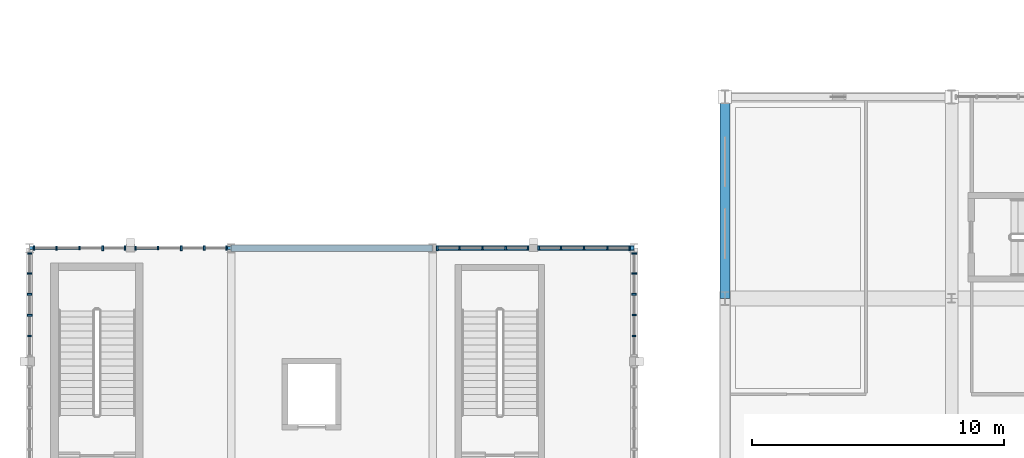
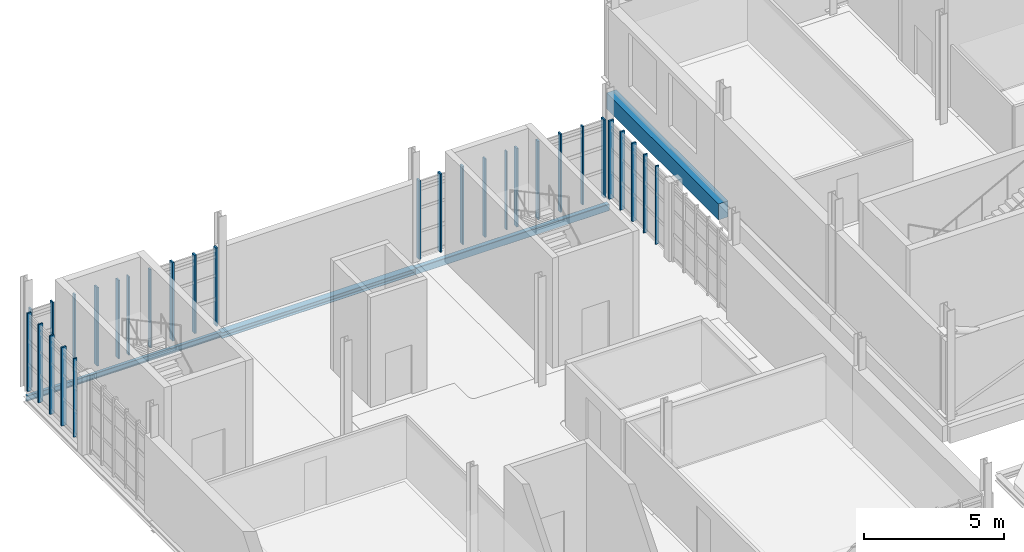
# One storey, part 19 of 128: 30 members, 4 beams, 6 elements without a shape of their own.
"""IFC4 building model written with IfcOpenShell, lengths in metres."""

from ifc_helpers import new_model, si_unit, direction, frame, origin, origin_2d, place, context, subcontext, project, spatial, rectangle, hollow_rectangle, i_section, extrude, material, material_profile, profile_set, type_object, element, aggregate, save


model = new_model("IFC4")

# Units and contexts
model_context = context("Model", 3, precision=1e-05, world=origin(), true_north=direction((0.0, 1.0)))
body_context = subcontext(model_context, "Body", "Model", "MODEL_VIEW")
ifc_project = project(units=[si_unit("LENGTHUNIT", "METRE"), si_unit("AREAUNIT", "SQUARE_METRE"), si_unit("VOLUMEUNIT", "CUBIC_METRE"), si_unit("PLANEANGLEUNIT", "RADIAN"), si_unit("MASSUNIT", "GRAM", prefix="KILO")], contexts=[model_context])

# Site, building, storey
site_placement = place(None, origin())
site = spatial("IfcSite", under=ifc_project, at=site_placement, CompositionType="ELEMENT")
building_placement = place(site_placement, origin())
building = spatial("IfcBuilding", under=site, at=building_placement, Name="Serraforn Aerial Cableway Station", CompositionType="ELEMENT")
storey_placement = place(building_placement, frame((0.0, 0.0, 9.0)))
storey = spatial("IfcBuildingStorey", under=building, at=storey_placement, Name="L02", CompositionType="ELEMENT", Elevation=9.0)

# Beams
ifc_material_1 = material(Name="Concrete C35/45", Category="concrete")
ifc_material_profile_1 = material_profile(ifc_material_1, rectangle(XDim=0.39990234375, YDim=0.699951171875, at=origin_2d()), Name="RC 400x700")
ifc_profile_set_1 = profile_set([ifc_material_profile_1], Name="Concrete C35/45")
beam_type_1 = type_object("IfcBeamType", Name="BM-RC-400x700E", PredefinedType="SPANDREL", material=ifc_profile_set_1)
beam_1_placement = place(storey_placement, frame((27.60009765625, 34.0, -0.7099609375), z_axis=(0.0, 1.0, 0.0), x_axis=(-1.0, 0.0, 0.0)))
element("IfcBeam", 1, at=beam_1_placement, inside=storey, type_object=beam_type_1, Name="Grid Girder Y CV L02 X1-3", PredefinedType="SPANDREL", context=body_context, shape_type="SweptSolid", body=[
    extrude(rectangle(XDim=0.39990234375, YDim=0.699951171875, at=origin_2d()), origin(), (0.0, 0.0, 1.0), 8.0),
])
ifc_material_2 = material(Name="Steel S355J2", Category="steel")
ifc_material_profile_2 = material_profile(ifc_material_2, i_section(OverallWidth=0.260009765625, OverallDepth=0.260009765625, WebThickness=0.010009765625, FlangeThickness=0.017578125, FilletRadius=0.02392578125, at=origin_2d()), Name="HEB 260")
ifc_profile_set_2 = profile_set([ifc_material_profile_2], Name="Steel S355J2")
beam_type_2 = type_object("IfcBeamType", Name="BM-ST-HEB260", PredefinedType="BEAM", material=ifc_profile_set_2)
beam_2_placement = place(storey_placement, frame((8.0, 36.0, -0.449951171875), z_axis=(1.0, 0.0, 0.0), x_axis=(0.0, 1.0, 0.0)))
element("IfcBeam", 2, at=beam_2_placement, inside=storey, type_object=beam_type_2, Name="Grid Girder X W L02 Y5-2", PredefinedType="BEAM", context=body_context, shape_type="SweptSolid", body=[
    extrude(i_section(OverallWidth=0.260009765625, OverallDepth=0.260009765625, WebThickness=0.010009765625, FlangeThickness=0.017578125, FilletRadius=0.02392578125, at=origin_2d()), origin(), (0.0, 0.0, 1.0), 8.0),
])
ifc_material_3 = material(Name="Steel S355JR", Category="steel")
ifc_material_profile_3 = material_profile(ifc_material_3, i_section(OverallWidth=0.1201171875, OverallDepth=0.239990234375, WebThickness=0.006103515625, FlangeThickness=0.009765625, FilletRadius=0.014892578125, at=origin_2d()), Name="IPE 240")
ifc_profile_set_3 = profile_set([ifc_material_profile_3], Name="Steel S355JR")
beam_type_3 = type_object("IfcBeamType", Name="BM-ST-IPE240", PredefinedType="SPANDREL", material=ifc_profile_set_3)
beam_3_placement = place(storey_placement, frame((0.0, 36.0, -0.43994140625), z_axis=(1.0, 0.0, 0.0), x_axis=(0.0, 1.0, 0.0)))
element("IfcBeam", 3, at=beam_3_placement, inside=storey, type_object=beam_type_3, Name="Grid Girder X W L02 Y5-1", PredefinedType="SPANDREL", context=body_context, shape_type="SweptSolid", body=[
    extrude(i_section(OverallWidth=0.1201171875, OverallDepth=0.239990234375, WebThickness=0.006103515625, FlangeThickness=0.009765625, FilletRadius=0.014892578125, at=origin_2d()), origin(), (0.0, 0.0, 1.0), 8.0),
])
ifc_material_profile_4 = material_profile(ifc_material_2, hollow_rectangle(XDim=0.199951171875, YDim=0.300048828125, WallThickness=0.012451171875, InnerFilletRadius=0.012451171875, OuterFilletRadius=0.02490234375, at=origin_2d()), Name="RHS 300x200x12.5")
ifc_profile_set_4 = profile_set([ifc_material_profile_4], Name="Steel S355J2")
beam_type_4 = type_object("IfcBeamType", Name="BM-ST-RHS300", PredefinedType="SPANDREL", material=ifc_profile_set_4)
beam_4_placement = place(storey_placement, frame((16.0, 36.0, -0.469970703125), z_axis=(1.0, 0.0, 0.0), x_axis=(0.0, 1.0, 0.0)))
element("IfcBeam", 4, at=beam_4_placement, inside=storey, type_object=beam_type_4, Name="Grid Girder X W L02 Y5-3", PredefinedType="SPANDREL", context=body_context, shape_type="SweptSolid", body=[
    extrude(hollow_rectangle(XDim=0.199951171875, YDim=0.300048828125, WallThickness=0.012451171875, InnerFilletRadius=0.012451171875, OuterFilletRadius=0.02490234375, at=origin_2d()), origin(), (0.0, 0.0, 1.0), 8.0),
])

# Curtain wall, member
ifc_material_4 = material(Name="Anodised bronze unitised curtain wall")
curtain_wall_type_1 = type_object("IfcCurtainWallType", Name="CW-SYS-27", PredefinedType="USERDEFINED", material=ifc_material_4)
curtain_wall_1_placement = place(storey_placement, origin())
curtain_wall_1 = element("IfcCurtainWall", 5, at=curtain_wall_1_placement, inside=storey, type_object=curtain_wall_type_1, Name="Unitised Curtain Wall CW-W-L02-N1A", ObjectType="UNITISED CURTAIN WALL", PredefinedType="USERDEFINED")
ifc_material_5 = material(Name="Anodised bronze extruded aluminium", Category="aluminium")
ifc_material_profile_5 = material_profile(ifc_material_5, rectangle(XDim=0.054931640625, YDim=0.139892578125, at=origin_2d()), Name="CW MULLION 55x140")
ifc_profile_set_5 = profile_set([ifc_material_profile_5], Name="Anodised bronze extruded aluminium")
member_type_1 = type_object("IfcMemberType", Name="CW-MUL-1", PredefinedType="MULLION", material=ifc_profile_set_5)
member_1_placement = place(storey_placement, frame((5.097900390625, 36.0, 0.0), z_axis=(0.0, 0.0, 1.0), x_axis=(-1.0, 0.0, 0.0)))
member_1 = element("IfcMember", 6, at=member_1_placement, type_object=member_type_1, Name="Curtain Wall Mullion CW-W-L02-N1A-M4", PredefinedType="MULLION", context=body_context, shape_type="SweptSolid", body=[
    extrude(rectangle(XDim=0.054931640625, YDim=0.139892578125, at=origin_2d()), origin(), (0.0, 0.0, 1.0), 3.419921875),
])

curtain_wall_type_2 = type_object("IfcCurtainWallType", Name="CW-SYS-28", PredefinedType="USERDEFINED", material=ifc_material_4)
curtain_wall_2_placement = place(storey_placement, origin())
curtain_wall_2 = element("IfcCurtainWall", 7, at=curtain_wall_2_placement, inside=storey, type_object=curtain_wall_type_2, Name="Unitised Curtain Wall CW-W-L02-N1B", ObjectType="UNITISED CURTAIN WALL", PredefinedType="USERDEFINED")
member_2_placement = place(storey_placement, frame((1.98388671875, 36.0, 0.0), z_axis=(0.0, 0.0, 1.0), x_axis=(-1.0, 0.0, 0.0)))
member_2 = element("IfcMember", 8, at=member_2_placement, type_object=member_type_1, Name="Curtain Wall Mullion CW-W-L02-N1B-M3", PredefinedType="MULLION", context=body_context, shape_type="SweptSolid", body=[
    extrude(rectangle(XDim=0.054931640625, YDim=0.139892578125, at=origin_2d()), origin(), (0.0, 0.0, 1.0), 3.419921875),
])

curtain_wall_type_3 = type_object("IfcCurtainWallType", Name="CW-SYS-1", PredefinedType="USERDEFINED", material=ifc_material_4)
curtain_wall_3_placement = place(storey_placement, origin())
curtain_wall_3 = element("IfcCurtainWall", 9, at=curtain_wall_3_placement, inside=storey, type_object=curtain_wall_type_3, Name="Unitised Curtain Wall CW-W-L02-N3A", ObjectType="UNITISED CURTAIN WALL", PredefinedType="USERDEFINED")
member_3_placement = place(storey_placement, frame((22.93408203125, 36.0, 0.0), z_axis=(0.0, 0.0, 1.0), x_axis=(-1.0, 0.0, 0.0)))
member_3 = element("IfcMember", 10, at=member_3_placement, type_object=member_type_1, Name="Curtain Wall Mullion CW-W-L02-N3A-M2", PredefinedType="MULLION", context=body_context, shape_type="SweptSolid", body=[
    extrude(rectangle(XDim=0.054931640625, YDim=0.139892578125, at=origin_2d()), origin(), (0.0, 0.0, 1.0), 3.419921875),
])

curtain_wall_type_4 = type_object("IfcCurtainWallType", Name="CW-SYS-2", PredefinedType="USERDEFINED", material=ifc_material_4)
curtain_wall_4_placement = place(storey_placement, origin())
curtain_wall_4 = element("IfcCurtainWall", 11, at=curtain_wall_4_placement, inside=storey, type_object=curtain_wall_type_4, Name="Unitised Curtain Wall CW-W-L02-N3B", ObjectType="UNITISED CURTAIN WALL", PredefinedType="USERDEFINED")
member_4_placement = place(storey_placement, frame((19.79248046875, 36.0, 0.0), z_axis=(0.0, 0.0, 1.0), x_axis=(-1.0, 0.0, 0.0)))
member_4 = element("IfcMember", 12, at=member_4_placement, type_object=member_type_1, Name="Curtain Wall Mullion CW-W-L02-N3B-M1", PredefinedType="MULLION", context=body_context, shape_type="SweptSolid", body=[
    extrude(rectangle(XDim=0.054931640625, YDim=0.139892578125, at=origin_2d()), origin(), (0.0, 0.0, 1.0), 3.419921875),
])

curtain_wall_type_5 = type_object("IfcCurtainWallType", Name="CW-SYS-3", PredefinedType="USERDEFINED", material=ifc_material_4)
curtain_wall_5_placement = place(storey_placement, origin())
curtain_wall_5 = element("IfcCurtainWall", 13, at=curtain_wall_5_placement, inside=storey, type_object=curtain_wall_type_5, Name="Unitised Curtain Wall CW-W-L02-W3A", ObjectType="UNITISED CURTAIN WALL", PredefinedType="USERDEFINED")
member_5_placement = place(storey_placement, frame((0.0, 32.50830078125, 0.0), z_axis=(0.0, 0.0, 1.0), x_axis=(0.0, -1.0, 0.0)))
member_5 = element("IfcMember", 14, at=member_5_placement, type_object=member_type_1, Name="Curtain Wall Mullion CW-W-L02-W3A-M5", PredefinedType="MULLION", context=body_context, shape_type="SweptSolid", body=[
    extrude(rectangle(XDim=0.054931640625, YDim=0.139892578125, at=origin_2d()), origin(), (0.0, 0.0, 1.0), 3.419921875),
])

curtain_wall_type_6 = type_object("IfcCurtainWallType", Name="CW-SYS-6", PredefinedType="USERDEFINED", material=ifc_material_4)
curtain_wall_6_placement = place(storey_placement, origin())
curtain_wall_6 = element("IfcCurtainWall", 15, at=curtain_wall_6_placement, inside=storey, type_object=curtain_wall_type_6, Name="Unitised Curtain Wall CW-W-L02-E3B", ObjectType="UNITISED CURTAIN WALL", PredefinedType="USERDEFINED")
member_6_placement = place(storey_placement, frame((24.0, 32.50830078125, 0.0), z_axis=(0.0, 0.0, 1.0), x_axis=(0.0, 1.0, 0.0)))
member_6 = element("IfcMember", 16, at=member_6_placement, type_object=member_type_1, Name="Curtain Wall Mullion CW-W-L02-E3B-M2", PredefinedType="MULLION", context=body_context, shape_type="SweptSolid", body=[
    extrude(rectangle(XDim=0.054931640625, YDim=0.139892578125, at=origin_2d()), origin(), (0.0, 0.0, 1.0), 3.419921875),
])

# Member
ifc_material_profile_6 = material_profile(ifc_material_5, rectangle(XDim=0.06005859375, YDim=0.159912109375, at=origin_2d()), Name="CW MULLION 60x160")
ifc_profile_set_6 = profile_set([ifc_material_profile_6], Name="Anodised bronze extruded aluminium")
member_type_2 = type_object("IfcMemberType", Name="CW-MUL-2", PredefinedType="MULLION", material=ifc_profile_set_6)
member_7_placement = place(storey_placement, frame((4.2099609375, 36.0, 0.0), z_axis=(0.0, 0.0, 1.0), x_axis=(-1.0, 0.0, 0.0)))
member_7 = element("IfcMember", 17, at=member_7_placement, type_object=member_type_2, Name="Curtain Wall Mullion CW-W-L02-N1A-M5", PredefinedType="MULLION", context=body_context, shape_type="SweptSolid", body=[
    extrude(rectangle(XDim=0.06005859375, YDim=0.159912109375, at=origin_2d()), origin(), (0.0, 0.0, 1.0), 3.419921875),
])

member_8_placement = place(storey_placement, frame((1.06591796875, 36.0, 0.0), z_axis=(0.0, 0.0, 1.0), x_axis=(-1.0, 0.0, 0.0)))
member_8 = element("IfcMember", 18, at=member_8_placement, type_object=member_type_2, Name="Curtain Wall Mullion CW-W-L02-N1B-M4", PredefinedType="MULLION", context=body_context, shape_type="SweptSolid", body=[
    extrude(rectangle(XDim=0.06005859375, YDim=0.159912109375, at=origin_2d()), origin(), (0.0, 0.0, 1.0), 3.419921875),
])

member_9_placement = place(storey_placement, frame((22.01611328125, 36.0, 0.0), z_axis=(0.0, 0.0, 1.0), x_axis=(-1.0, 0.0, 0.0)))
member_9 = element("IfcMember", 19, at=member_9_placement, type_object=member_type_2, Name="Curtain Wall Mullion CW-W-L02-N3A-M3", PredefinedType="MULLION", context=body_context, shape_type="SweptSolid", body=[
    extrude(rectangle(XDim=0.06005859375, YDim=0.159912109375, at=origin_2d()), origin(), (0.0, 0.0, 1.0), 3.419921875),
])

member_10_placement = place(storey_placement, frame((18.902099609375, 36.0, 0.0), z_axis=(0.0, 0.0, 1.0), x_axis=(-1.0, 0.0, 0.0)))
member_10 = element("IfcMember", 20, at=member_10_placement, type_object=member_type_2, Name="Curtain Wall Mullion CW-W-L02-N3B-M2", PredefinedType="MULLION", context=body_context, shape_type="SweptSolid", body=[
    extrude(rectangle(XDim=0.06005859375, YDim=0.159912109375, at=origin_2d()), origin(), (0.0, 0.0, 1.0), 3.419921875),
])

member_11_placement = place(storey_placement, frame((0.0, 35.7919921875, 0.0), z_axis=(0.0, 0.0, 1.0), x_axis=(0.0, -1.0, 0.0)))
member_11 = element("IfcMember", 21, at=member_11_placement, type_object=member_type_2, Name="Curtain Wall Mullion CW-W-L02-W3A-M1", PredefinedType="MULLION", context=body_context, shape_type="SweptSolid", body=[
    extrude(rectangle(XDim=0.06005859375, YDim=0.159912109375, at=origin_2d()), origin(), (0.0, 0.0, 1.0), 3.419921875),
])

member_12_placement = place(storey_placement, frame((24.0, 33.3369140625, 0.0), z_axis=(0.0, 0.0, 1.0), x_axis=(0.0, 1.0, 0.0)))
member_12 = element("IfcMember", 22, at=member_12_placement, type_object=member_type_2, Name="Curtain Wall Mullion CW-W-L02-E3B-M3", PredefinedType="MULLION", context=body_context, shape_type="SweptSolid", body=[
    extrude(rectangle(XDim=0.06005859375, YDim=0.159912109375, at=origin_2d()), origin(), (0.0, 0.0, 1.0), 3.419921875),
])

ifc_material_profile_7 = material_profile(ifc_material_5, rectangle(XDim=0.06494140625, YDim=0.175048828125, at=origin_2d()), Name="CW MULLION 65x175")
ifc_profile_set_7 = profile_set([ifc_material_profile_7], Name="Anodised bronze extruded aluminium")
member_type_3 = type_object("IfcMemberType", Name="CW-MUL-3", PredefinedType="MULLION", material=ifc_profile_set_7)
member_13_placement = place(storey_placement, frame((7.819580078125, 36.0, 0.0), z_axis=(0.0, 0.0, 1.0), x_axis=(-1.0, 0.0, 0.0)))
member_13 = element("IfcMember", 23, at=member_13_placement, type_object=member_type_3, Name="Curtain Wall Mullion CW-W-L02-N1A-M1", PredefinedType="MULLION", context=body_context, shape_type="SweptSolid", body=[
    extrude(rectangle(XDim=0.06494140625, YDim=0.175048828125, at=origin_2d()), origin(), (0.0, 0.0, 1.0), 3.419921875),
])

member_14_placement = place(storey_placement, frame((0.180419921875, 36.0, 0.0), z_axis=(0.0, 0.0, 1.0), x_axis=(-1.0, 0.0, 0.0)))
member_14 = element("IfcMember", 24, at=member_14_placement, type_object=member_type_3, Name="Curtain Wall Mullion CW-W-L02-N1B-M5", PredefinedType="MULLION", context=body_context, shape_type="SweptSolid", body=[
    extrude(rectangle(XDim=0.06494140625, YDim=0.175048828125, at=origin_2d()), origin(), (0.0, 0.0, 1.0), 3.419921875),
])

member_15_placement = place(storey_placement, frame((21.097900390625, 36.0, 0.0), z_axis=(0.0, 0.0, 1.0), x_axis=(-1.0, 0.0, 0.0)))
member_15 = element("IfcMember", 25, at=member_15_placement, type_object=member_type_3, Name="Curtain Wall Mullion CW-W-L02-N3A-M4", PredefinedType="MULLION", context=body_context, shape_type="SweptSolid", body=[
    extrude(rectangle(XDim=0.06494140625, YDim=0.175048828125, at=origin_2d()), origin(), (0.0, 0.0, 1.0), 3.419921875),
])

member_16_placement = place(storey_placement, frame((17.98388671875, 36.0, 0.0), z_axis=(0.0, 0.0, 1.0), x_axis=(-1.0, 0.0, 0.0)))
member_16 = element("IfcMember", 26, at=member_16_placement, type_object=member_type_3, Name="Curtain Wall Mullion CW-W-L02-N3B-M3", PredefinedType="MULLION", context=body_context, shape_type="SweptSolid", body=[
    extrude(rectangle(XDim=0.06494140625, YDim=0.175048828125, at=origin_2d()), origin(), (0.0, 0.0, 1.0), 3.419921875),
])

member_17_placement = place(storey_placement, frame((0.0, 34.99365234375, 0.0), z_axis=(0.0, 0.0, 1.0), x_axis=(0.0, -1.0, 0.0)))
member_17 = element("IfcMember", 27, at=member_17_placement, type_object=member_type_3, Name="Curtain Wall Mullion CW-W-L02-W3A-M2", PredefinedType="MULLION", context=body_context, shape_type="SweptSolid", body=[
    extrude(rectangle(XDim=0.06494140625, YDim=0.175048828125, at=origin_2d()), origin(), (0.0, 0.0, 1.0), 3.419921875),
])

member_18_placement = place(storey_placement, frame((24.0, 34.165283203125, 0.0), z_axis=(0.0, 0.0, 1.0), x_axis=(0.0, 1.0, 0.0)))
member_18 = element("IfcMember", 28, at=member_18_placement, type_object=member_type_3, Name="Curtain Wall Mullion CW-W-L02-E3B-M4", PredefinedType="MULLION", context=body_context, shape_type="SweptSolid", body=[
    extrude(rectangle(XDim=0.06494140625, YDim=0.175048828125, at=origin_2d()), origin(), (0.0, 0.0, 1.0), 3.419921875),
])

ifc_material_profile_8 = material_profile(ifc_material_5, rectangle(XDim=0.070068359375, YDim=0.18994140625, at=origin_2d()), Name="CW MULLION 70x190")
ifc_profile_set_8 = profile_set([ifc_material_profile_8], Name="Anodised bronze extruded aluminium")
member_type_4 = type_object("IfcMemberType", Name="CW-MUL-4", PredefinedType="MULLION", material=ifc_profile_set_8)
member_19_placement = place(storey_placement, frame((6.93408203125, 36.0, 0.0), z_axis=(0.0, 0.0, 1.0), x_axis=(-1.0, 0.0, 0.0)))
member_19 = element("IfcMember", 29, at=member_19_placement, type_object=member_type_4, Name="Curtain Wall Mullion CW-W-L02-N1A-M2", PredefinedType="MULLION", context=body_context, shape_type="SweptSolid", body=[
    extrude(rectangle(XDim=0.070068359375, YDim=0.18994140625, at=origin_2d()), origin(), (0.0, 0.0, 1.0), 3.419921875),
])

member_20_placement = place(storey_placement, frame((3.784912109375, 36.0, 0.0), z_axis=(0.0, 0.0, 1.0), x_axis=(-1.0, 0.0, 0.0)))
member_20 = element("IfcMember", 30, at=member_20_placement, type_object=member_type_4, Name="Curtain Wall Mullion CW-W-L02-N1B-M1", PredefinedType="MULLION", context=body_context, shape_type="SweptSolid", body=[
    extrude(rectangle(XDim=0.070068359375, YDim=0.18994140625, at=origin_2d()), origin(), (0.0, 0.0, 1.0), 3.419921875),
])

member_21_placement = place(storey_placement, frame((20.215087890625, 36.0, 0.0), z_axis=(0.0, 0.0, 1.0), x_axis=(-1.0, 0.0, 0.0)))
member_21 = element("IfcMember", 31, at=member_21_placement, type_object=member_type_4, Name="Curtain Wall Mullion CW-W-L02-N3A-M5", PredefinedType="MULLION", context=body_context, shape_type="SweptSolid", body=[
    extrude(rectangle(XDim=0.070068359375, YDim=0.18994140625, at=origin_2d()), origin(), (0.0, 0.0, 1.0), 3.419921875),
])

member_22_placement = place(storey_placement, frame((17.06591796875, 36.0, 0.0), z_axis=(0.0, 0.0, 1.0), x_axis=(-1.0, 0.0, 0.0)))
member_22 = element("IfcMember", 32, at=member_22_placement, type_object=member_type_4, Name="Curtain Wall Mullion CW-W-L02-N3B-M4", PredefinedType="MULLION", context=body_context, shape_type="SweptSolid", body=[
    extrude(rectangle(XDim=0.070068359375, YDim=0.18994140625, at=origin_2d()), origin(), (0.0, 0.0, 1.0), 3.419921875),
])

member_23_placement = place(storey_placement, frame((0.0, 34.165283203125, 0.0), z_axis=(0.0, 0.0, 1.0), x_axis=(0.0, -1.0, 0.0)))
member_23 = element("IfcMember", 33, at=member_23_placement, type_object=member_type_4, Name="Curtain Wall Mullion CW-W-L02-W3A-M3", PredefinedType="MULLION", context=body_context, shape_type="SweptSolid", body=[
    extrude(rectangle(XDim=0.070068359375, YDim=0.18994140625, at=origin_2d()), origin(), (0.0, 0.0, 1.0), 3.419921875),
])

member_24_placement = place(storey_placement, frame((24.0, 34.99365234375, 0.0), z_axis=(0.0, 0.0, 1.0), x_axis=(0.0, 1.0, 0.0)))
member_24 = element("IfcMember", 34, at=member_24_placement, type_object=member_type_4, Name="Curtain Wall Mullion CW-W-L02-E3B-M5", PredefinedType="MULLION", context=body_context, shape_type="SweptSolid", body=[
    extrude(rectangle(XDim=0.070068359375, YDim=0.18994140625, at=origin_2d()), origin(), (0.0, 0.0, 1.0), 3.419921875),
])

ifc_material_profile_9 = material_profile(ifc_material_5, rectangle(XDim=0.074951171875, YDim=0.199951171875, at=origin_2d()), Name="CW MULLION 75x200")
ifc_profile_set_9 = profile_set([ifc_material_profile_9], Name="Anodised bronze extruded aluminium")
member_type_5 = type_object("IfcMemberType", Name="CW-MUL-5", PredefinedType="MULLION", material=ifc_profile_set_9)
member_25_placement = place(storey_placement, frame((6.01611328125, 36.0, 0.0), z_axis=(0.0, 0.0, 1.0), x_axis=(-1.0, 0.0, 0.0)))
member_25 = element("IfcMember", 35, at=member_25_placement, type_object=member_type_5, Name="Curtain Wall Mullion CW-W-L02-N1A-M3", PredefinedType="MULLION", context=body_context, shape_type="SweptSolid", body=[
    extrude(rectangle(XDim=0.074951171875, YDim=0.199951171875, at=origin_2d()), origin(), (0.0, 0.0, 1.0), 3.419921875),
])

aggregate(curtain_wall_1, [member_13, member_19, member_25, member_1, member_7])

member_26_placement = place(storey_placement, frame((2.902099609375, 36.0, 0.0), z_axis=(0.0, 0.0, 1.0), x_axis=(-1.0, 0.0, 0.0)))
member_26 = element("IfcMember", 36, at=member_26_placement, type_object=member_type_5, Name="Curtain Wall Mullion CW-W-L02-N1B-M2", PredefinedType="MULLION", context=body_context, shape_type="SweptSolid", body=[
    extrude(rectangle(XDim=0.074951171875, YDim=0.199951171875, at=origin_2d()), origin(), (0.0, 0.0, 1.0), 3.419921875),
])

aggregate(curtain_wall_2, [member_20, member_26, member_2, member_8, member_14])

member_27_placement = place(storey_placement, frame((23.814453125, 36.0, 0.0), z_axis=(0.0, 0.0, 1.0), x_axis=(-1.0, 0.0, 0.0)))
member_27 = element("IfcMember", 37, at=member_27_placement, type_object=member_type_5, Name="Curtain Wall Mullion CW-W-L02-N3A-M1", PredefinedType="MULLION", context=body_context, shape_type="SweptSolid", body=[
    extrude(rectangle(XDim=0.074951171875, YDim=0.199951171875, at=origin_2d()), origin(), (0.0, 0.0, 1.0), 3.419921875),
])

aggregate(curtain_wall_3, [member_27, member_3, member_9, member_15, member_21])

member_28_placement = place(storey_placement, frame((16.185546875, 36.0, 0.0), z_axis=(0.0, 0.0, 1.0), x_axis=(-1.0, 0.0, 0.0)))
member_28 = element("IfcMember", 38, at=member_28_placement, type_object=member_type_5, Name="Curtain Wall Mullion CW-W-L02-N3B-M5", PredefinedType="MULLION", context=body_context, shape_type="SweptSolid", body=[
    extrude(rectangle(XDim=0.074951171875, YDim=0.199951171875, at=origin_2d()), origin(), (0.0, 0.0, 1.0), 3.419921875),
])

aggregate(curtain_wall_4, [member_4, member_10, member_16, member_22, member_28])

member_29_placement = place(storey_placement, frame((0.0, 33.3369140625, 0.0), z_axis=(0.0, 0.0, 1.0), x_axis=(0.0, -1.0, 0.0)))
member_29 = element("IfcMember", 39, at=member_29_placement, type_object=member_type_5, Name="Curtain Wall Mullion CW-W-L02-W3A-M4", PredefinedType="MULLION", context=body_context, shape_type="SweptSolid", body=[
    extrude(rectangle(XDim=0.074951171875, YDim=0.199951171875, at=origin_2d()), origin(), (0.0, 0.0, 1.0), 3.419921875),
])

aggregate(curtain_wall_5, [member_11, member_17, member_23, member_29, member_5])

member_30_placement = place(storey_placement, frame((24.0, 35.784423828125, 0.0), z_axis=(0.0, 0.0, 1.0), x_axis=(0.0, 1.0, 0.0)))
member_30 = element("IfcMember", 40, at=member_30_placement, type_object=member_type_5, Name="Curtain Wall Mullion CW-W-L02-E3B-M6", PredefinedType="MULLION", context=body_context, shape_type="SweptSolid", body=[
    extrude(rectangle(XDim=0.074951171875, YDim=0.199951171875, at=origin_2d()), origin(), (0.0, 0.0, 1.0), 3.419921875),
])

aggregate(curtain_wall_6, [member_6, member_12, member_18, member_24, member_30])

save(model, "model.ifc")
